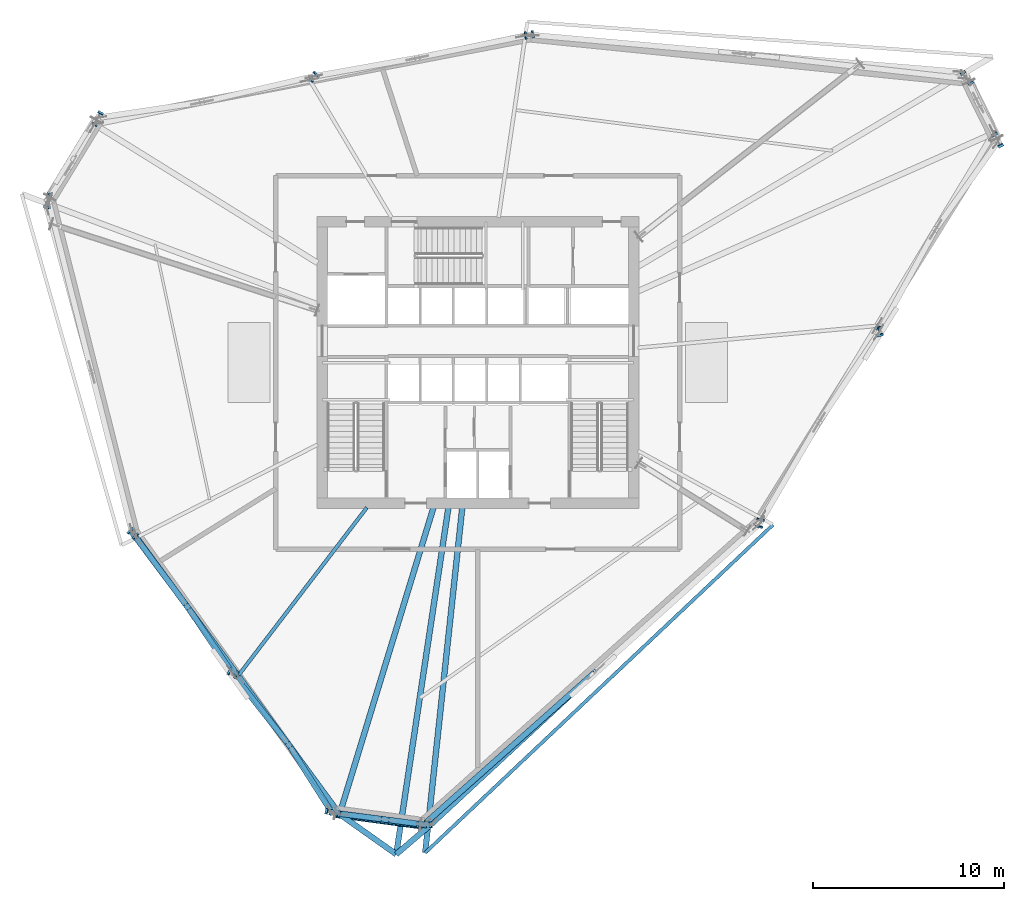
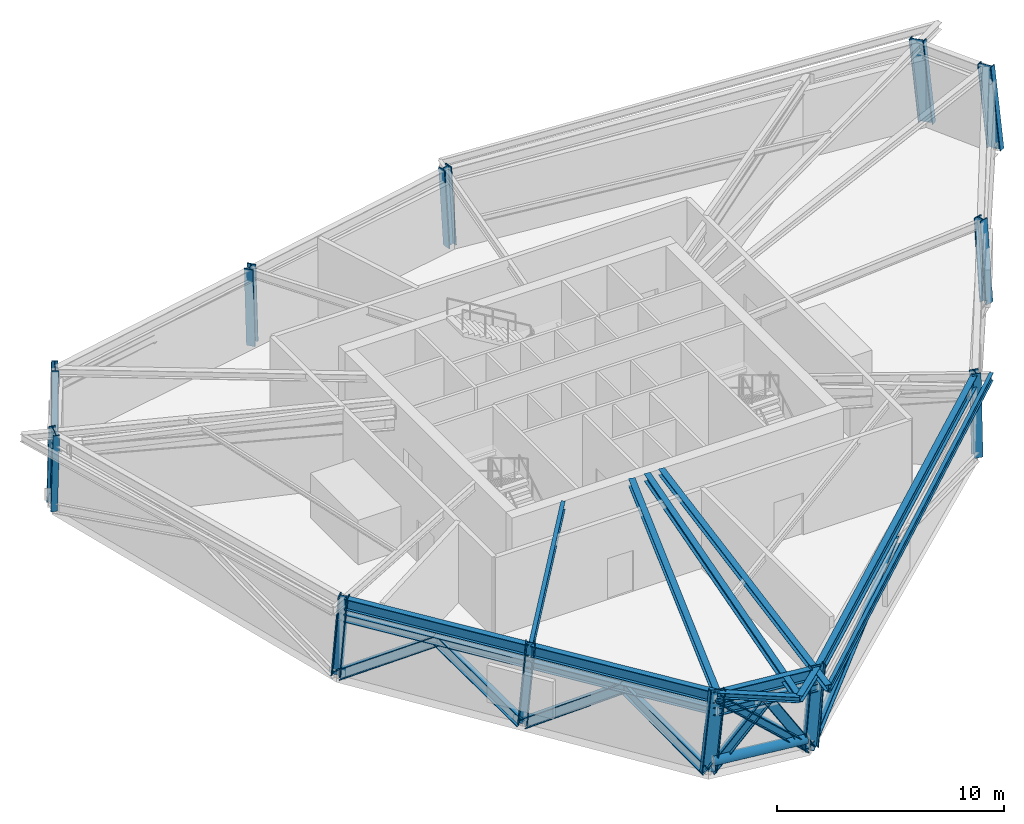
# One storey, part 1 of 14: 12 columns, 12 members, 11 beams.
"""IFC4 building model written with IfcOpenShell, lengths in metres."""

import ifcopenshell
import ifcopenshell.guid

model = None  # the IFC model being written
_history = None  # IfcOwnerHistory: only IFC2X3 demands one
_inside = {}  # id of a spatial element -> (the spatial element, [elements in it])
_under = {}  # id of a project, library or spatial element -> (it, [spatial elements below it])
_declared = {}  # id of a project -> (the project, [libraries it declares])
_typed = {}  # id of a type object -> (the type object, [elements of that type])
_made_of = {}  # id of a material, layer set ... -> (it, [elements and type objects made of it])


def new_model(schema):
    """Start an empty IFC model of exactly this schema.

    Asked for "IFC4X3", IfcOpenShell would pick the latest addendum, in which some entities
    have other attributes; the version numbers below select the first issue.
    IFC2X3 requires an IfcOwnerHistory on every rooted entity: one is made here for all.
    """
    global model, _history
    if schema == "IFC4X3":
        model = ifcopenshell.file(schema_version=(4, 3, 0, 0))
    else:
        model = ifcopenshell.file(schema=schema)
    _inside.clear()
    _under.clear()
    _declared.clear()
    _typed.clear()
    _made_of.clear()
    _history = None
    if model.schema == "IFC2X3":
        org = make("IfcOrganization", Name="unknown")
        user = make(
            "IfcPersonAndOrganization",
            ThePerson=make("IfcPerson", FamilyName="unknown"),
            TheOrganization=org,
        )
        app = make(
            "IfcApplication",
            ApplicationDeveloper=org,
            Version="unknown",
            ApplicationFullName="unknown",
            ApplicationIdentifier="unknown",
        )
        _history = make(
            "IfcOwnerHistory",
            OwningUser=user,
            OwningApplication=app,
            ChangeAction="ADDED",
            CreationDate=0,
        )
    return model


def make(cls, **values):
    """One entity of the class cls with the attributes given. An attribute that is None is left unset."""
    return model.create_entity(
        cls, **{name: value for name, value in values.items() if value is not None}
    )


def rooted(cls, **values):
    """An entity with a GlobalId (a new one), such as an element, a storey or a relation."""
    return make(cls, GlobalId=ifcopenshell.guid.new(), OwnerHistory=_history, **values)


def si_unit(unit_type, name, prefix=None):
    """IfcSIUnit, for example si_unit("LENGTHUNIT", "METRE", prefix="MILLI")."""
    return make("IfcSIUnit", UnitType=unit_type, Prefix=prefix, Name=name)


def assignment(units):
    """IfcUnitAssignment: the units of a project."""
    return None if units is None else make("IfcUnitAssignment", Units=units)


def point(xyz):
    """IfcCartesianPoint."""
    return None if xyz is None else make("IfcCartesianPoint", Coordinates=xyz)


def direction(xyz):
    """IfcDirection."""
    return None if xyz is None else make("IfcDirection", DirectionRatios=xyz)


def frame(location, z_axis=None, x_axis=None):
    """IfcAxis2Placement3D, a coordinate frame: its origin and axes. An axis left out is left unset."""
    return make(
        "IfcAxis2Placement3D",
        Location=point(location),
        Axis=direction(z_axis),
        RefDirection=direction(x_axis),
    )


def frame_2d(location, x_axis=None):
    """IfcAxis2Placement2D, a coordinate frame in the plane: its origin and x axis."""
    return make(
        "IfcAxis2Placement2D", Location=point(location), RefDirection=direction(x_axis)
    )


def origin():
    """The frame at (0, 0, 0) with its axes left unset."""
    return frame((0.0, 0.0, 0.0))


def origin_2d():
    """The frame at (0, 0) in the plane with its x axis left unset."""
    return frame_2d((0.0, 0.0))


def place(relative_to, where):
    """IfcLocalPlacement: puts the frame where relative to a parent placement (None: the world)."""
    return make(
        "IfcLocalPlacement", PlacementRelTo=relative_to, RelativePlacement=where
    )


def context(
    kind, dimensions, precision=None, world=None, true_north=None, identifier=None
):
    """IfcGeometricRepresentationContext, for example the 3D "Model" context."""
    return make(
        "IfcGeometricRepresentationContext",
        ContextIdentifier=identifier,
        ContextType=kind,
        CoordinateSpaceDimension=dimensions,
        Precision=precision,
        WorldCoordinateSystem=world,
        TrueNorth=true_north,
    )


def subcontext(parent, identifier, kind, view, scale=None):
    """IfcGeometricRepresentationSubContext, for example "Body" below "Model"."""
    return make(
        "IfcGeometricRepresentationSubContext",
        ContextIdentifier=identifier,
        ContextType=kind,
        ParentContext=parent,
        TargetScale=scale,
        TargetView=view,
    )


def project(units=None, contexts=None):
    """IfcProject with its units and contexts."""
    return rooted(
        "IfcProject",
        Name="project",
        RepresentationContexts=contexts,
        UnitsInContext=assignment(units),
    )


def spatial(cls, under=None, at=None, **own):
    """A site, building, storey or space (cls), placed at a placement, below another one or the project."""
    s = rooted(cls, ObjectPlacement=at, **own)
    if under is not None:
        _under.setdefault(under.id(), (under, []))[1].append(s)
    return s


def profile(cls, at=None, kind="AREA", **sizes):
    """A parametric profile (cls). Its sizes go by their IFC names, for example OverallWidth=200.0."""
    return make(cls, ProfileType=kind, Position=at, **sizes)


def hollow_circle(**sizes):
    """IfcCircleHollowProfileDef."""
    return profile("IfcCircleHollowProfileDef", **sizes)


def i_section(**sizes):
    """IfcIShapeProfileDef."""
    return profile("IfcIShapeProfileDef", **sizes)


def extrude(swept, where, along, depth):
    """IfcExtrudedAreaSolid: the profile swept, set in the frame where, extruded along a direction by depth."""
    return make(
        "IfcExtrudedAreaSolid",
        SweptArea=swept,
        Position=where,
        ExtrudedDirection=direction(along),
        Depth=depth,
    )


def shape(context_of_items, identifier, shape_type, items):
    """IfcShapeRepresentation: the items that make up one representation, for example the "Body"."""
    return make(
        "IfcShapeRepresentation",
        ContextOfItems=context_of_items,
        RepresentationIdentifier=identifier,
        RepresentationType=shape_type,
        Items=items,
    )


def source(mapping_origin, context_of_items, identifier, shape_type, items):
    """IfcRepresentationMap: a shape defined once, which mapped items show again and again."""
    return make(
        "IfcRepresentationMap",
        MappingOrigin=mapping_origin,
        MappedRepresentation=shape(context_of_items, identifier, shape_type, items),
    )


def transform(
    local_origin,
    x_axis=None,
    y_axis=None,
    z_axis=None,
    scale=None,
    scale2=None,
    scale3=None,
    uniform=True,
):
    """IfcCartesianTransformationOperator3D, or its non-uniform kind. x_axis, y_axis, z_axis: its Axis1, 2, 3."""
    if uniform:
        return make(
            "IfcCartesianTransformationOperator3D",
            Axis1=direction(x_axis),
            Axis2=direction(y_axis),
            LocalOrigin=point(local_origin),
            Scale=scale,
            Axis3=direction(z_axis),
        )
    return make(
        "IfcCartesianTransformationOperator3DnonUniform",
        Axis1=direction(x_axis),
        Axis2=direction(y_axis),
        LocalOrigin=point(local_origin),
        Scale=scale,
        Axis3=direction(z_axis),
        Scale2=scale2,
        Scale3=scale3,
    )


def mapped(mapping_source, mapping_target):
    """IfcMappedItem: shows the shape of a source again, moved by a transform."""
    return make(
        "IfcMappedItem", MappingSource=mapping_source, MappingTarget=mapping_target
    )


def material(Name=None, Category=None):
    """IfcMaterial."""
    return make("IfcMaterial", Name=Name, Category=Category)


def material_profile(
    of_material, cross_section, Name=None, Category=None, Priority=None
):
    """IfcMaterialProfile: a cross section and its material."""
    return make(
        "IfcMaterialProfile",
        Name=Name,
        Material=of_material,
        Profile=cross_section,
        Priority=Priority,
        Category=Category,
    )


def profile_set(profiles, Name=None, composite=None):
    """IfcMaterialProfileSet."""
    return make(
        "IfcMaterialProfileSet",
        Name=Name,
        MaterialProfiles=profiles,
        CompositeProfile=composite,
    )


def made_of(thing, what):
    """Note that an element or type object is made of a material, layer set ...; save() writes the relation."""
    if what is not None:
        _made_of.setdefault(what.id(), (what, []))[1].append(thing)
    return thing


def type_object(cls, material=None, **own):
    """A type object (cls), such as IfcWallType, which elements share."""
    return made_of(rooted(cls, **own), material)


def element(
    cls,
    number,
    at=None,
    inside=None,
    cuts=None,
    type_object=None,
    material=None,
    context=None,
    identifier="Body",
    shape_type=None,
    held_by="IfcProductDefinitionShape",
    body=None,
    shapes=None,
    **own,
):
    """One element of the class cls, such as IfcWall. Its Tag is "e" and its number.

    at: its placement. inside: the storey or other place that contains it. cuts: it is an
    opening in that element (IfcRelVoidsElement). A single representation is given by context,
    identifier, shape_type and body (its items); several are given by shapes. held_by: the class
    of the entity that holds the representations. save() writes the other relations.
    """
    e = rooted(cls, Tag="e%d" % number, ObjectPlacement=at, **own)
    if body is not None:
        shapes = [shape(context, identifier, shape_type, body)]
    if shapes is not None:
        e.Representation = make(held_by, Representations=shapes)
    if inside is not None:
        _inside.setdefault(inside.id(), (inside, []))[1].append(e)
    if cuts is not None:
        rooted(
            "IfcRelVoidsElement", RelatingBuildingElement=cuts, RelatedOpeningElement=e
        )
    if type_object is not None:
        _typed.setdefault(type_object.id(), (type_object, []))[1].append(e)
    return made_of(e, material)


def aggregate(whole, parts):
    """IfcRelAggregates: a whole, such as a stair, and the parts it consists of."""
    return rooted("IfcRelAggregates", RelatingObject=whole, RelatedObjects=parts)


def save(model, path):
    """Write the relations noted so far, then the file.

    IfcRelAggregates (storeys below a building ...), IfcRelContainedInSpatialStructure (elements
    in a storey), IfcRelDefinesByType, IfcRelAssociatesMaterial and IfcRelDeclares: one each for
    every whole, place, type object, material and project.
    """
    for whole, parts in _under.values():
        aggregate(whole, parts)
    for where, things in _inside.values():
        rooted(
            "IfcRelContainedInSpatialStructure",
            RelatedElements=things,
            RelatingStructure=where,
        )
    for kind, things in _typed.values():
        rooted("IfcRelDefinesByType", RelatedObjects=things, RelatingType=kind)
    for what, things in _made_of.values():
        rooted("IfcRelAssociatesMaterial", RelatedObjects=things, RelatingMaterial=what)
    for by, libraries in _declared.values():
        rooted("IfcRelDeclares", RelatingContext=by, RelatedDefinitions=libraries)
    model.write(path)


model = new_model("IFC4")

# Units and contexts
model_context = context("Model", 3, precision=1e-05, world=origin(), true_north=direction((0.0, 1.0)))
body_context = subcontext(model_context, "Body", "Model", "MODEL_VIEW")
ifc_project = project(units=[si_unit("LENGTHUNIT", "METRE"), si_unit("AREAUNIT", "SQUARE_METRE"), si_unit("VOLUMEUNIT", "CUBIC_METRE"), si_unit("PLANEANGLEUNIT", "RADIAN"), si_unit("MASSUNIT", "GRAM", prefix="KILO")], contexts=[model_context])

# Site, building, storey
site_placement = place(None, origin())
site = spatial("IfcSite", under=ifc_project, at=site_placement, CompositionType="ELEMENT")
building_placement = place(site_placement, origin())
building = spatial("IfcBuilding", under=site, at=building_placement, Name="Olszyna Solenne Hotel", CompositionType="ELEMENT")
storey_placement = place(building_placement, frame((0.0, 0.0, 142.10009765625)))
storey = spatial("IfcBuildingStorey", under=building, at=storey_placement, Name="L37", CompositionType="ELEMENT", Elevation=142.10009765625)

# Columns
ifc_material_1 = material(Name="Steel S460M", Category="steel")
ifc_material_profile_1 = material_profile(ifc_material_1, i_section(OverallWidth=0.303955078125, OverallDepth=0.716064453125, WebThickness=0.02099609375, FlangeThickness=0.0400390625, at=origin_2d()), Name="HEM 700", Category="load-bearing")
ifc_profile_set_1 = profile_set([ifc_material_profile_1], Name="Steel S460M")
column_type_1 = type_object("IfcColumnType", Name="COL-K2", PredefinedType="COLUMN", material=ifc_profile_set_1)
shared_shape_1 = source(origin(), body_context, "Body", "SweptSolid", [
    extrude(i_section(OverallWidth=0.303955078125, OverallDepth=0.716064453125, WebThickness=0.02099609375, FlangeThickness=0.0400390625, at=origin_2d()), origin(), (0.0, 0.0, 1.0), 4.36181640625),
])
column_1_placement = place(storey_placement, frame((65.297119140625, 38.212646484375, 0.0), z_axis=(-0.053564206709, 0.097221553869, 0.993820328441), x_axis=(-0.875864353367, -0.482557389852, 0.0)))
element("IfcColumn", 1, at=column_1_placement, inside=storey, type_object=column_type_1, Name="Perimeter framed-tube column COL-K2 C-L37-01", PredefinedType="COLUMN", context=body_context, shape_type="MappedRepresentation", body=[
    mapped(shared_shape_1, transform((0.0, 0.0, 0.0), x_axis=(1.0, 0.0, 0.0), y_axis=(0.0, 1.0, 0.0), z_axis=(0.0, 0.0, 1.0), scale=1.0)),
])
shared_shape_2 = source(origin(), body_context, "Body", "SweptSolid", [
    extrude(i_section(OverallWidth=0.303955078125, OverallDepth=0.716064453125, WebThickness=0.02099609375, FlangeThickness=0.0400390625, at=origin_2d()), origin(), (0.0, 0.0, 1.0), 4.3583984375),
])
column_2_placement = place(storey_placement, frame((63.68896484375, 41.473388671875, 0.0), z_axis=(-0.061281500187, 0.083519850803, 0.994620034112), x_axis=(-0.806250246525, -0.591574627564, 0.0)))
element("IfcColumn", 2, at=column_2_placement, inside=storey, type_object=column_type_1, Name="Perimeter framed-tube column COL-K2 C-L37-02", PredefinedType="COLUMN", context=body_context, shape_type="MappedRepresentation", body=[
    mapped(shared_shape_2, transform((0.0, 0.0, 0.0), x_axis=(1.0, 0.0, 0.0), y_axis=(0.0, 1.0, 0.0), z_axis=(0.0, 0.0, 1.0), scale=1.0)),
])
ifc_material_profile_2 = material_profile(ifc_material_1, i_section(OverallWidth=0.412109375, OverallDepth=0.43505859375, WebThickness=0.031494140625, FlangeThickness=0.050048828125, at=origin_2d()), Name="HD 400x463", Category="load-bearing")
ifc_profile_set_2 = profile_set([ifc_material_profile_2], Name="Steel S460M")
column_type_2 = type_object("IfcColumnType", Name="COL-T3", PredefinedType="COLUMN", material=ifc_profile_set_2)
shared_shape_3 = source(origin(), body_context, "Body", "SweptSolid", [
    extrude(i_section(OverallWidth=0.412109375, OverallDepth=0.43505859375, WebThickness=0.031494140625, FlangeThickness=0.050048828125, at=origin_2d()), origin(), (0.0, 0.0, 1.0), 4.343994140625),
])
column_3_placement = place(storey_placement, frame((40.731201171875, 43.790283203125, 0.0), z_axis=(-0.063172565414, -0.010566229802, 0.997946682828), x_axis=(0.164968142717, -0.986298895816, 0.0)))
element("IfcColumn", 3, at=column_3_placement, inside=storey, type_object=column_type_2, Name="Perimeter framed-tube column COL-T3 C-L37-03", PredefinedType="COLUMN", context=body_context, shape_type="MappedRepresentation", body=[
    mapped(shared_shape_3, transform((0.0, 0.0, 0.0), x_axis=(1.0, 0.0, 0.0), y_axis=(0.0, 1.0, 0.0), z_axis=(0.0, 0.0, 1.0), scale=1.0)),
])
shared_shape_4 = source(origin(), body_context, "Body", "SweptSolid", [
    extrude(i_section(OverallWidth=0.412109375, OverallDepth=0.43505859375, WebThickness=0.031494140625, FlangeThickness=0.050048828125, at=origin_2d()), origin(), (0.0, 0.0, 1.0), 4.345458984375),
])
column_4_placement = place(storey_placement, frame((29.40087890625, 41.614501953125, 0.0), z_axis=(-0.052587081912, -0.045451868875, 0.997581438496), x_axis=(0.653914443662, -0.756568503422, 0.0)))
element("IfcColumn", 4, at=column_4_placement, inside=storey, type_object=column_type_2, Name="Perimeter framed-tube column COL-T3 C-L37-04", PredefinedType="COLUMN", context=body_context, shape_type="MappedRepresentation", body=[
    mapped(shared_shape_4, transform((0.0, 0.0, 0.0), x_axis=(1.0, 0.0, 0.0), y_axis=(0.0, 1.0, 0.0), z_axis=(0.0, 0.0, 1.0), scale=1.0)),
])
shared_shape_5 = source(origin(), body_context, "Body", "SweptSolid", [
    extrude(i_section(OverallWidth=0.303955078125, OverallDepth=0.716064453125, WebThickness=0.02099609375, FlangeThickness=0.0400390625, at=origin_2d()), origin(), (0.0, 0.0, 1.0), 4.352783203125),
])
column_5_placement = place(storey_placement, frame((18.070556640625, 39.43896484375, 0.0), z_axis=(-0.041953488824, -0.080261286775, 0.99589057161), x_axis=(0.886231222436, -0.463243154704, 0.0)))
element("IfcColumn", 5, at=column_5_placement, inside=storey, type_object=column_type_1, Name="Perimeter framed-tube column COL-K2 C-L37-05", PredefinedType="COLUMN", context=body_context, shape_type="MappedRepresentation", body=[
    mapped(shared_shape_5, transform((0.0, 0.0, 0.0), x_axis=(1.0, 0.0, 0.0), y_axis=(0.0, 1.0, 0.0), z_axis=(0.0, 0.0, 1.0), scale=1.0)),
])
shared_shape_6 = source(origin(), body_context, "Body", "SweptSolid", [
    extrude(i_section(OverallWidth=0.303955078125, OverallDepth=0.716064453125, WebThickness=0.02099609375, FlangeThickness=0.0400390625, at=origin_2d()), origin(), (0.0, 0.0, 1.0), 4.349365234375),
])
column_6_placement = place(storey_placement, frame((15.453125, 35.13330078125, 0.0), z_axis=(-0.020207174684, -0.079088636472, 0.996662760252), x_axis=(0.968875614487, -0.247548063318, 0.0)))
element("IfcColumn", 6, at=column_6_placement, inside=storey, type_object=column_type_1, Name="Perimeter framed-tube column COL-K2 C-L37-06", PredefinedType="COLUMN", context=body_context, shape_type="MappedRepresentation", body=[
    mapped(shared_shape_6, transform((0.0, 0.0, 0.0), x_axis=(1.0, 0.0, 0.0), y_axis=(0.0, 1.0, 0.0), z_axis=(0.0, 0.0, 1.0), scale=1.0)),
])
shared_shape_7 = source(origin(), body_context, "Body", "SweptSolid", [
    extrude(i_section(OverallWidth=0.412109375, OverallDepth=0.43505859375, WebThickness=0.031494140625, FlangeThickness=0.050048828125, at=origin_2d()), origin(), (0.0, 0.0, 1.0), 4.34765625),
])
column_7_placement = place(storey_placement, frame((19.867919921875, 17.659912109375, 0.0), z_axis=(0.052224238999, -0.055537389645, 0.997089879205), x_axis=(0.728502673194, 0.685042958616, 0.0)))
element("IfcColumn", 7, at=column_7_placement, inside=storey, type_object=column_type_2, Name="Perimeter framed-tube column COL-T3 C-L37-07", PredefinedType="COLUMN", context=body_context, shape_type="MappedRepresentation", body=[
    mapped(shared_shape_7, transform((0.0, 0.0, 0.0), x_axis=(1.0, 0.0, 0.0), y_axis=(0.0, 1.0, 0.0), z_axis=(0.0, 0.0, 1.0), scale=1.0)),
])
shared_shape_8 = source(origin(), body_context, "Body", "SweptSolid", [
    extrude(i_section(OverallWidth=0.412109375, OverallDepth=0.43505859375, WebThickness=0.031494140625, FlangeThickness=0.050048828125, at=origin_2d()), origin(), (0.0, 0.0, 1.0), 4.349609375),
])
column_8_placement = place(storey_placement, frame((25.103759765625, 10.325927734375, 0.0), z_axis=(0.072799172678, -0.037943130864, 0.996624602986), x_axis=(0.46219210593, 0.886779824543, 0.0)))
element("IfcColumn", 8, at=column_8_placement, inside=storey, type_object=column_type_2, Name="Perimeter framed-tube column COL-T3 C-L37-08", PredefinedType="COLUMN", context=body_context, shape_type="MappedRepresentation", body=[
    mapped(shared_shape_8, transform((0.0, 0.0, 0.0), x_axis=(1.0, 0.0, 0.0), y_axis=(0.0, 1.0, 0.0), z_axis=(0.0, 0.0, 1.0), scale=1.0)),
])
shared_shape_9 = source(origin(), body_context, "Body", "SweptSolid", [
    extrude(i_section(OverallWidth=0.303955078125, OverallDepth=0.716064453125, WebThickness=0.02099609375, FlangeThickness=0.0400390625, at=origin_2d()), origin(), (0.0, 0.0, 1.0), 4.35498046875),
])
column_9_placement = place(storey_placement, frame((30.339599609375, 2.99169921875, 0.0), z_axis=(0.093342536899, -0.02018217014, 0.995429480583), x_axis=(0.211332792528, 0.97741416544, 0.0)))
element("IfcColumn", 9, at=column_9_placement, inside=storey, type_object=column_type_1, Name="Perimeter framed-tube column COL-K2 C-L37-09", PredefinedType="COLUMN", context=body_context, shape_type="MappedRepresentation", body=[
    mapped(shared_shape_9, transform((0.0, 0.0, 0.0), x_axis=(1.0, 0.0, 0.0), y_axis=(0.0, 1.0, 0.0), z_axis=(0.0, 0.0, 1.0), scale=1.0)),
])
shared_shape_10 = source(origin(), body_context, "Body", "SweptSolid", [
    extrude(i_section(OverallWidth=0.303955078125, OverallDepth=0.716064453125, WebThickness=0.02099609375, FlangeThickness=0.0400390625, at=origin_2d()), origin(), (0.0, 0.0, 1.0), 4.350341796875),
])
column_10_placement = place(storey_placement, frame((35.150634765625, 2.349853515625, 0.0), z_axis=(0.083899938538, -0.001459129366, 0.996473116173), x_axis=(0.017388674879, 0.999848805563, 0.0)))
element("IfcColumn", 10, at=column_10_placement, inside=storey, type_object=column_type_1, Name="Perimeter framed-tube column COL-K2 C-L37-10", PredefinedType="COLUMN", context=body_context, shape_type="MappedRepresentation", body=[
    mapped(shared_shape_10, transform((0.0, 0.0, 0.0), x_axis=(1.0, 0.0, 0.0), y_axis=(0.0, 1.0, 0.0), z_axis=(0.0, 0.0, 1.0), scale=1.0)),
])
shared_shape_11 = source(origin(), body_context, "Body", "SweptSolid", [
    extrude(i_section(OverallWidth=0.412109375, OverallDepth=0.43505859375, WebThickness=0.031494140625, FlangeThickness=0.050048828125, at=origin_2d()), origin(), (0.0, 0.0, 1.0), 4.344482421875),
])
column_11_placement = place(storey_placement, frame((52.778564453125, 18.1337890625, 0.0), z_axis=(0.013824133478, 0.06468120989, 0.997810219641), x_axis=(-0.977914175981, 0.209006852555, 0.0)))
element("IfcColumn", 11, at=column_11_placement, inside=storey, type_object=column_type_2, Name="Perimeter framed-tube column COL-T3 C-L37-11", PredefinedType="COLUMN", context=body_context, shape_type="MappedRepresentation", body=[
    mapped(shared_shape_11, transform((0.0, 0.0, 0.0), x_axis=(1.0, 0.0, 0.0), y_axis=(0.0, 1.0, 0.0), z_axis=(0.0, 0.0, 1.0), scale=1.0)),
])
shared_shape_12 = source(origin(), body_context, "Body", "SweptSolid", [
    extrude(i_section(OverallWidth=0.412109375, OverallDepth=0.43505859375, WebThickness=0.031494140625, FlangeThickness=0.050048828125, at=origin_2d()), origin(), (0.0, 0.0, 1.0), 4.35009765625),
])
column_12_placement = place(storey_placement, frame((59.037841796875, 28.173095703125, 0.0), z_axis=(-0.019923497825, 0.081040931997, 0.996511626413), x_axis=(-0.971084473571, -0.238736141356, 0.0)))
element("IfcColumn", 12, at=column_12_placement, inside=storey, type_object=column_type_2, Name="Perimeter framed-tube column COL-T3 C-L37-12", PredefinedType="COLUMN", context=body_context, shape_type="MappedRepresentation", body=[
    mapped(shared_shape_12, transform((0.0, 0.0, 0.0), x_axis=(1.0, 0.0, 0.0), y_axis=(0.0, 1.0, 0.0), z_axis=(0.0, 0.0, 1.0), scale=1.0)),
])

# Beams
ifc_material_2 = material(Name="Steel S355J2", Category="steel")
ifc_material_profile_3 = material_profile(ifc_material_2, i_section(OverallWidth=0.300048828125, OverallDepth=0.60009765625, WebThickness=0.015380859375, FlangeThickness=0.030029296875, at=origin_2d()), Name="HEB 600", Category="load-bearing")
ifc_profile_set_3 = profile_set([ifc_material_profile_3], Name="Steel S355J2")
beam_type_1 = type_object("IfcBeamType", Name="BM-S2", PredefinedType="BEAM", material=ifc_profile_set_3)
shared_shape_13 = source(origin(), body_context, "Body", "SweptSolid", [
    extrude(i_section(OverallWidth=0.300048828125, OverallDepth=0.60009765625, WebThickness=0.015380859375, FlangeThickness=0.030029296875, at=origin_2d()), origin(), (0.0, 0.0, 1.0), 8.881591796875),
])
beam_1_placement = place(storey_placement, frame((20.130615234375, 17.3701171875, 3.949951171875), z_axis=(0.59160197517, -0.806230179896, 0.0), x_axis=(0.806230179896, 0.59160197517, 0.0)))
element("IfcBeam", 13, at=beam_1_placement, inside=storey, type_object=beam_type_1, Name="Perimeter spandrel beam BM-S2 B-L37-1099", PredefinedType="BEAM", context=body_context, shape_type="MappedRepresentation", body=[
    mapped(shared_shape_13, transform((0.0, 0.0, 0.0), x_axis=(1.0, 0.0, 0.0), y_axis=(0.0, 1.0, 0.0), z_axis=(0.0, 0.0, 1.0), scale=1.0)),
])
shared_shape_14 = source(origin(), body_context, "Body", "SweptSolid", [
    extrude(i_section(OverallWidth=0.300048828125, OverallDepth=0.60009765625, WebThickness=0.015380859375, FlangeThickness=0.030029296875, at=origin_2d()), origin(), (0.0, 0.0, 1.0), 8.88134765625),
])
beam_2_placement = place(storey_placement, frame((25.4560546875, 10.112548828125, 3.949951171875), z_axis=(0.591615086377, -0.806220558886, 0.0), x_axis=(0.806220558886, 0.591615086377, 0.0)))
element("IfcBeam", 14, at=beam_2_placement, inside=storey, type_object=beam_type_1, Name="Perimeter spandrel beam BM-S2 B-L37-1100", PredefinedType="BEAM", context=body_context, shape_type="MappedRepresentation", body=[
    mapped(shared_shape_14, transform((0.0, 0.0, 0.0), x_axis=(1.0, 0.0, 0.0), y_axis=(0.0, 1.0, 0.0), z_axis=(0.0, 0.0, 1.0), scale=1.0)),
])
shared_shape_15 = source(origin(), body_context, "Body", "SweptSolid", [
    extrude(i_section(OverallWidth=0.300048828125, OverallDepth=0.60009765625, WebThickness=0.015380859375, FlangeThickness=0.030029296875, at=origin_2d()), origin(), (0.0, 0.0, 1.0), 4.682373046875),
])
beam_3_placement = place(storey_placement, frame((30.8056640625, 2.896728515625, 3.949951171875), z_axis=(0.993168388128, -0.116689985963, 0.0), x_axis=(0.116689985963, 0.993168388128, 0.0)))
element("IfcBeam", 15, at=beam_3_placement, inside=storey, type_object=beam_type_1, Name="Perimeter spandrel beam BM-S2 B-L37-1101", PredefinedType="BEAM", context=body_context, shape_type="MappedRepresentation", body=[
    mapped(shared_shape_15, transform((0.0, 0.0, 0.0), x_axis=(1.0, 0.0, 0.0), y_axis=(0.0, 1.0, 0.0), z_axis=(0.0, 0.0, 1.0), scale=1.0)),
])
shared_shape_16 = source(origin(), body_context, "Body", "SweptSolid", [
    extrude(i_section(OverallWidth=0.300048828125, OverallDepth=0.60009765625, WebThickness=0.015380859375, FlangeThickness=0.030029296875, at=origin_2d()), origin(), (0.0, 0.0, 1.0), 23.509765625),
])
beam_4_placement = place(storey_placement, frame((35.5595703125, 2.38427734375, 3.949951171875), z_axis=(0.733101512229, 0.680119234229, 0.0), x_axis=(-0.680119234229, 0.733101512229, 0.0)))
element("IfcBeam", 16, at=beam_4_placement, inside=storey, type_object=beam_type_1, Name="Perimeter spandrel beam BM-S2 B-L37-1102", PredefinedType="BEAM", context=body_context, shape_type="MappedRepresentation", body=[
    mapped(shared_shape_16, transform((0.0, 0.0, 0.0), x_axis=(1.0, 0.0, 0.0), y_axis=(0.0, 1.0, 0.0), z_axis=(0.0, 0.0, 1.0), scale=1.0)),
])
ifc_material_profile_4 = material_profile(ifc_material_2, i_section(OverallWidth=0.18994140625, OverallDepth=0.449951171875, WebThickness=0.009521484375, FlangeThickness=0.0146484375, at=origin_2d()), Name="IPE 450", Category="load-bearing")
ifc_profile_set_4 = profile_set([ifc_material_profile_4], Name="Steel S355J2")
beam_type_2 = type_object("IfcBeamType", Name="BM-F4", PredefinedType="BEAM", material=ifc_profile_set_4)
shared_shape_17 = source(origin(), body_context, "Body", "SweptSolid", [
    extrude(i_section(OverallWidth=0.18994140625, OverallDepth=0.449951171875, WebThickness=0.009521484375, FlangeThickness=0.0146484375, at=origin_2d()), origin(), (0.0, 0.0, 1.0), 11.05712890625),
])
beam_5_placement = place(storey_placement, frame((25.45703125, 10.20849609375, 4.02490234375), z_axis=(0.607701680489, 0.79416539054, 0.0), x_axis=(-0.79416539054, 0.607701680489, 0.0)))
element("IfcBeam", 17, at=beam_5_placement, inside=storey, type_object=beam_type_2, Name="Radial floor girder BM-F4 B-L37-1112", PredefinedType="BEAM", context=body_context, shape_type="MappedRepresentation", body=[
    mapped(shared_shape_17, transform((0.0, 0.0, 0.0), x_axis=(1.0, 0.0, 0.0), y_axis=(0.0, 1.0, 0.0), z_axis=(0.0, 0.0, 1.0), scale=1.0)),
])
ifc_material_profile_5 = material_profile(ifc_material_2, i_section(OverallWidth=0.300048828125, OverallDepth=0.389892578125, WebThickness=0.010986328125, FlangeThickness=0.01904296875, at=origin_2d()), Name="HEA 400", Category="load-bearing")
ifc_profile_set_5 = profile_set([ifc_material_profile_5], Name="Steel S355J2")
beam_type_3 = type_object("IfcBeamType", Name="BM-G2", PredefinedType="BEAM", material=ifc_profile_set_5)
shared_shape_18 = source(origin(), body_context, "Body", "SweptSolid", [
    extrude(i_section(OverallWidth=0.300048828125, OverallDepth=0.389892578125, WebThickness=0.010986328125, FlangeThickness=0.01904296875, at=origin_2d()), origin(), (0.0, 0.0, 1.0), 16.771240234375),
])
beam_6_placement = place(storey_placement, frame((30.763671875, 2.961181640625, 4.054931640625), z_axis=(0.292714815353, 0.956199789203, 0.0), x_axis=(-0.956199789203, 0.292714815353, 0.0)))
element("IfcBeam", 18, at=beam_6_placement, inside=storey, type_object=beam_type_3, Name="Radial floor girder BM-G2 B-L37-1113", PredefinedType="BEAM", context=body_context, shape_type="MappedRepresentation", body=[
    mapped(shared_shape_18, transform((0.0, 0.0, 0.0), x_axis=(1.0, 0.0, 0.0), y_axis=(0.0, 1.0, 0.0), z_axis=(0.0, 0.0, 1.0), scale=1.0)),
])
shared_shape_19 = source(origin(), body_context, "Body", "SweptSolid", [
    extrude(i_section(OverallWidth=0.300048828125, OverallDepth=0.389892578125, WebThickness=0.010986328125, FlangeThickness=0.01904296875, at=origin_2d()), origin(), (0.0, 0.0, 1.0), 18.384033203125),
])
beam_7_placement = place(storey_placement, frame((33.7197265625, 0.81982421875, 4.054931640625), z_axis=(0.148856049271, 0.988858875975, 0.0), x_axis=(-0.988858875975, 0.148856049271, 0.0)))
element("IfcBeam", 19, at=beam_7_placement, inside=storey, type_object=beam_type_3, Name="Radial floor girder BM-G2 B-L37-1114", PredefinedType="BEAM", context=body_context, shape_type="MappedRepresentation", body=[
    mapped(shared_shape_19, transform((0.0, 0.0, 0.0), x_axis=(1.0, 0.0, 0.0), y_axis=(0.0, 1.0, 0.0), z_axis=(0.0, 0.0, 1.0), scale=1.0)),
])
ifc_material_profile_6 = material_profile(ifc_material_2, i_section(OverallWidth=0.300048828125, OverallDepth=0.31005859375, WebThickness=0.009033203125, FlangeThickness=0.015380859375, at=origin_2d()), Name="HEA 320", Category="load-bearing")
ifc_profile_set_6 = profile_set([ifc_material_profile_6], Name="Steel S355J2")
beam_type_4 = type_object("IfcBeamType", Name="BM-G3", PredefinedType="BEAM", material=ifc_profile_set_6)
shared_shape_20 = source(origin(), body_context, "Body", "SweptSolid", [
    extrude(i_section(OverallWidth=0.300048828125, OverallDepth=0.31005859375, WebThickness=0.009033203125, FlangeThickness=0.015380859375, at=origin_2d()), origin(), (0.0, 0.0, 1.0), 3.64013671875),
])
beam_8_placement = place(storey_placement, frame((30.74609375, 2.90380859375, 4.094970703125), z_axis=(0.81608774532, -0.577928016225, 0.0), x_axis=(0.577928016225, 0.81608774532, 0.0)))
element("IfcBeam", 20, at=beam_8_placement, inside=storey, type_object=beam_type_4, Name="Prism side edge beam BM-G3 B-L37-1117", PredefinedType="BEAM", context=body_context, shape_type="MappedRepresentation", body=[
    mapped(shared_shape_20, transform((0.0, 0.0, 0.0), x_axis=(1.0, 0.0, 0.0), y_axis=(0.0, 1.0, 0.0), z_axis=(0.0, 0.0, 1.0), scale=1.0)),
])
shared_shape_21 = source(origin(), body_context, "Body", "SweptSolid", [
    extrude(i_section(OverallWidth=0.300048828125, OverallDepth=0.31005859375, WebThickness=0.009033203125, FlangeThickness=0.015380859375, at=origin_2d()), origin(), (0.0, 0.0, 1.0), 2.370361328125),
])
beam_9_placement = place(storey_placement, frame((35.515625, 2.343505859375, 4.094970703125), z_axis=(-0.758922047088, -0.651181485028, 0.0), x_axis=(0.651181485028, -0.758922047088, 0.0)))
element("IfcBeam", 21, at=beam_9_placement, inside=storey, type_object=beam_type_4, Name="Prism side edge beam BM-G3 B-L37-1118", PredefinedType="BEAM", context=body_context, shape_type="MappedRepresentation", body=[
    mapped(shared_shape_21, transform((0.0, 0.0, 0.0), x_axis=(1.0, 0.0, 0.0), y_axis=(0.0, 1.0, 0.0), z_axis=(0.0, 0.0, 1.0), scale=1.0)),
])
shared_shape_22 = source(origin(), body_context, "Body", "SweptSolid", [
    extrude(i_section(OverallWidth=0.300048828125, OverallDepth=0.31005859375, WebThickness=0.009033203125, FlangeThickness=0.015380859375, at=origin_2d()), origin(), (0.0, 0.0, 1.0), 18.227294921875),
])
beam_10_placement = place(storey_placement, frame((35.23486328125, 0.876953125, 4.094970703125), z_axis=(0.106886401758, 0.99427123921, 0.0), x_axis=(-0.99427123921, 0.106886401758, 0.0)))
element("IfcBeam", 22, at=beam_10_placement, inside=storey, type_object=beam_type_4, Name="Loggia/prism radial back-span girder BM-G3 B-L37-1119", PredefinedType="BEAM", context=body_context, shape_type="MappedRepresentation", body=[
    mapped(shared_shape_22, transform((0.0, 0.0, 0.0), x_axis=(1.0, 0.0, 0.0), y_axis=(0.0, 1.0, 0.0), z_axis=(0.0, 0.0, 1.0), scale=1.0)),
])
ifc_material_profile_7 = material_profile(ifc_material_2, i_section(OverallWidth=0.179931640625, OverallDepth=0.39990234375, WebThickness=0.008544921875, FlangeThickness=0.013427734375, at=origin_2d()), Name="IPE 400", Category="load-bearing")
ifc_profile_set_7 = profile_set([ifc_material_profile_7], Name="Steel S355J2")
beam_type_5 = type_object("IfcBeamType", Name="BM-F5", PredefinedType="BEAM", material=ifc_profile_set_7)
shared_shape_23 = source(origin(), body_context, "Body", "SweptSolid", [
    extrude(i_section(OverallWidth=0.179931640625, OverallDepth=0.39990234375, WebThickness=0.008544921875, FlangeThickness=0.013427734375, at=origin_2d()), origin(), (0.0, 0.0, 1.0), 25.090576171875),
])
beam_11_placement = place(storey_placement, frame((35.23486328125, 0.876953125, 4.0498046875), z_axis=(0.727509750261, 0.686097342419, 0.0), x_axis=(-0.686097342419, 0.727509750261, 0.0)))
element("IfcBeam", 23, at=beam_11_placement, inside=storey, type_object=beam_type_5, Name="Loggia outer edge beam BM-F5 B-L37-1125", PredefinedType="BEAM", context=body_context, shape_type="MappedRepresentation", body=[
    mapped(shared_shape_23, transform((0.0, 0.0, 0.0), x_axis=(1.0, 0.0, 0.0), y_axis=(0.0, 1.0, 0.0), z_axis=(0.0, 0.0, 1.0), scale=1.0)),
])

# Members
ifc_material_profile_8 = material_profile(ifc_material_1, i_section(OverallWidth=0.406005859375, OverallDepth=0.416015625, WebThickness=0.026611328125, FlangeThickness=0.04150390625, at=origin_2d()), Name="HD 400x382", Category="load-bearing")
ifc_profile_set_8 = profile_set([ifc_material_profile_8], Name="Steel S460M")
member_type_1 = type_object("IfcMemberType", Name="BR-T2", PredefinedType="BRACE", material=ifc_profile_set_8)
shared_shape_24 = source(origin(), body_context, "Body", "SweptSolid", [
    extrude(i_section(OverallWidth=0.406005859375, OverallDepth=0.416015625, WebThickness=0.026611328125, FlangeThickness=0.04150390625, at=origin_2d()), origin(), (0.0, 0.0, 1.0), 5.91552734375),
])
member_1_placement = place(storey_placement, frame((35.150634765625, 2.349853515625, 0.010009765625), z_axis=(-0.744564367466, 0.093643176641, 0.660949966464), x_axis=(-0.124786029639, -0.992183675943, 0.0)))
element("IfcMember", 24, at=member_1_placement, inside=storey, type_object=member_type_1, Name="Perimeter braced-tube diagonal BR-T2 BR-L37-3", PredefinedType="BRACE", context=body_context, shape_type="MappedRepresentation", body=[
    mapped(shared_shape_24, transform((0.0, 0.0, 0.0), x_axis=(1.0, 0.0, 0.0), y_axis=(0.0, 1.0, 0.0), z_axis=(0.0, 0.0, 1.0), scale=1.0)),
])
ifc_material_profile_9 = material_profile(ifc_material_2, i_section(OverallWidth=0.300048828125, OverallDepth=0.39990234375, WebThickness=0.013427734375, FlangeThickness=0.02392578125, at=origin_2d()), Name="HEB 400", Category="load-bearing")
ifc_profile_set_9 = profile_set([ifc_material_profile_9], Name="Steel S355J2")
member_type_2 = type_object("IfcMemberType", Name="CH-TR2", PredefinedType="CHORD", material=ifc_profile_set_9)
shared_shape_25 = source(origin(), body_context, "Body", "SweptSolid", [
    extrude(i_section(OverallWidth=0.300048828125, OverallDepth=0.39990234375, WebThickness=0.013427734375, FlangeThickness=0.02392578125, at=origin_2d()), origin(), (0.0, 0.0, 1.0), 8.921875),
])
for number, where, z_axis, x_axis, name in (
    (25, (20.11865234375, 17.38623046875, 3.199951171875), (0.591591413251, -0.806237929998, 0.0), (0.806237929998, 0.591591413251, 0.0), "Belt truss upper chord CH-TR2 CH-L37-07"),
    (26, (25.444091796875, 10.12890625, 3.199951171875), (0.591609200229, -0.806224878185, 0.0), (0.806224878185, 0.591609200229, 0.0), "Belt truss upper chord CH-TR2 CH-L37-08"),
):
    element("IfcMember", number, at=place(storey_placement, frame(where, z_axis=z_axis, x_axis=x_axis)), inside=storey, type_object=member_type_2, Name=name, PredefinedType="CHORD", context=body_context, shape_type="MappedRepresentation", body=[
        mapped(shared_shape_25, transform((0.0, 0.0, 0.0), x_axis=(1.0, 0.0, 0.0), y_axis=(0.0, 1.0, 0.0), z_axis=(0.0, 0.0, 1.0), scale=1.0)),
    ])
ifc_material_profile_10 = material_profile(ifc_material_2, i_section(OverallWidth=0.300048828125, OverallDepth=0.5, WebThickness=0.014404296875, FlangeThickness=0.028076171875, at=origin_2d()), Name="HEB 500", Category="load-bearing")
ifc_profile_set_10 = profile_set([ifc_material_profile_10], Name="Steel S355J2")
member_type_3 = type_object("IfcMemberType", Name="BR-BL1", PredefinedType="BRACE", material=ifc_profile_set_10)
shared_shape_26 = source(origin(), body_context, "Body", "SweptSolid", [
    extrude(i_section(OverallWidth=0.300048828125, OverallDepth=0.5, WebThickness=0.014404296875, FlangeThickness=0.028076171875, at=origin_2d()), origin(), (0.0, 0.0, 1.0), 5.74951171875),
])
member_2_placement = place(storey_placement, frame((19.89111328125, 17.62744140625, 0.02001953125), z_axis=(0.4985943884, -0.667467653829, 0.553073744584), x_axis=(0.801154452932, 0.598457636385, 0.0)))
element("IfcMember", 27, at=member_2_placement, inside=storey, type_object=member_type_3, Name="Belt truss diagonal BR-BL1 BT-L37-07-1", PredefinedType="BRACE", context=body_context, shape_type="MappedRepresentation", body=[
    mapped(shared_shape_26, transform((0.0, 0.0, 0.0), x_axis=(1.0, 0.0, 0.0), y_axis=(0.0, 1.0, 0.0), z_axis=(0.0, 0.0, 1.0), scale=1.0)),
])
shared_shape_27 = source(origin(), body_context, "Body", "SweptSolid", [
    extrude(i_section(OverallWidth=0.300048828125, OverallDepth=0.5, WebThickness=0.014404296875, FlangeThickness=0.028076171875, at=origin_2d()), origin(), (0.0, 0.0, 1.0), 5.22314453125),
])
member_3_placement = place(storey_placement, frame((25.08056640625, 10.3583984375, 0.02001953125), z_axis=(-0.44470091155, 0.656955151549, 0.608811159654), x_axis=(-0.828113679966, -0.560560195745, 0.0)))
element("IfcMember", 28, at=member_3_placement, inside=storey, type_object=member_type_3, Name="Belt truss diagonal BR-BL1 BT-L37-07-2", PredefinedType="BRACE", context=body_context, shape_type="MappedRepresentation", body=[
    mapped(shared_shape_27, transform((0.0, 0.0, 0.0), x_axis=(1.0, 0.0, 0.0), y_axis=(0.0, 1.0, 0.0), z_axis=(0.0, 0.0, 1.0), scale=1.0)),
])
shared_shape_28 = source(origin(), body_context, "Body", "SweptSolid", [
    extrude(i_section(OverallWidth=0.300048828125, OverallDepth=0.5, WebThickness=0.014404296875, FlangeThickness=0.028076171875, at=origin_2d()), origin(), (0.0, 0.0, 1.0), 5.744140625),
])
member_4_placement = place(storey_placement, frame((25.126953125, 10.293212890625, 0.02001953125), z_axis=(0.514665732946, -0.654712276018, 0.553598246893), x_axis=(0.786173095258, 0.618006362664, 0.0)))
element("IfcMember", 29, at=member_4_placement, inside=storey, type_object=member_type_3, Name="Belt truss diagonal BR-BL1 BT-L37-08-1", PredefinedType="BRACE", context=body_context, shape_type="MappedRepresentation", body=[
    mapped(shared_shape_28, transform((0.0, 0.0, 0.0), x_axis=(1.0, 0.0, 0.0), y_axis=(0.0, 1.0, 0.0), z_axis=(0.0, 0.0, 1.0), scale=1.0)),
])
shared_shape_29 = source(origin(), body_context, "Body", "SweptSolid", [
    extrude(i_section(OverallWidth=0.300048828125, OverallDepth=0.5, WebThickness=0.014404296875, FlangeThickness=0.028076171875, at=origin_2d()), origin(), (0.0, 0.0, 1.0), 5.235107421875),
])
member_5_placement = place(storey_placement, frame((30.31640625, 3.0244140625, 0.02001953125), z_axis=(-0.426580128645, 0.670113684105, 0.60743480656), x_axis=(-0.843579286252, -0.537004644119, 0.0)))
element("IfcMember", 30, at=member_5_placement, inside=storey, type_object=member_type_3, Name="Belt truss diagonal BR-BL1 BT-L37-08-2", PredefinedType="BRACE", context=body_context, shape_type="MappedRepresentation", body=[
    mapped(shared_shape_29, transform((0.0, 0.0, 0.0), x_axis=(1.0, 0.0, 0.0), y_axis=(0.0, 1.0, 0.0), z_axis=(0.0, 0.0, 1.0), scale=1.0)),
])
shared_shape_30 = source(origin(), body_context, "Body", "SweptSolid", [
    extrude(i_section(OverallWidth=0.300048828125, OverallDepth=0.39990234375, WebThickness=0.013427734375, FlangeThickness=0.02392578125, at=origin_2d()), origin(), (0.0, 0.0, 1.0), 4.722412109375),
])
member_6_placement = place(storey_placement, frame((30.78564453125, 2.89892578125, 3.199951171875), z_axis=(0.993175284368, -0.116631275911, 0.0), x_axis=(0.116631275911, 0.993175284368, 0.0)))
element("IfcMember", 31, at=member_6_placement, inside=storey, type_object=member_type_2, Name="Belt truss upper chord CH-TR2 CH-L37-09", PredefinedType="CHORD", context=body_context, shape_type="MappedRepresentation", body=[
    mapped(shared_shape_30, transform((0.0, 0.0, 0.0), x_axis=(1.0, 0.0, 0.0), y_axis=(0.0, 1.0, 0.0), z_axis=(0.0, 0.0, 1.0), scale=1.0)),
])
shared_shape_31 = source(origin(), body_context, "Body", "SweptSolid", [
    extrude(i_section(OverallWidth=0.300048828125, OverallDepth=0.5, WebThickness=0.014404296875, FlangeThickness=0.028076171875, at=origin_2d()), origin(), (0.0, 0.0, 1.0), 4.220947265625),
])
member_7_placement = place(storey_placement, frame((30.379150390625, 2.986572265625, 0.02001953125), z_axis=(0.651930802338, -0.086010212322, 0.753384677531), x_axis=(0.130798085761, 0.991409027981, 0.0)))
element("IfcMember", 32, at=member_7_placement, inside=storey, type_object=member_type_3, Name="Belt truss diagonal BR-BL1 BT-L37-09-1", PredefinedType="BRACE", context=body_context, shape_type="MappedRepresentation", body=[
    mapped(shared_shape_31, transform((0.0, 0.0, 0.0), x_axis=(1.0, 0.0, 0.0), y_axis=(0.0, 1.0, 0.0), z_axis=(0.0, 0.0, 1.0), scale=1.0)),
])
shared_shape_32 = source(origin(), body_context, "Body", "SweptSolid", [
    extrude(i_section(OverallWidth=0.300048828125, OverallDepth=0.5, WebThickness=0.014404296875, FlangeThickness=0.028076171875, at=origin_2d()), origin(), (0.0, 0.0, 1.0), 3.755615234375),
])
member_8_placement = place(storey_placement, frame((35.111083984375, 2.355224609375, 0.02001953125), z_axis=(-0.527259158202, 0.071440983216, 0.84669591118), x_axis=(-0.134268105163, -0.990945041834, 0.0)))
element("IfcMember", 33, at=member_8_placement, inside=storey, type_object=member_type_3, Name="Belt truss diagonal BR-BL1 BT-L37-09-2", PredefinedType="BRACE", context=body_context, shape_type="MappedRepresentation", body=[
    mapped(shared_shape_32, transform((0.0, 0.0, 0.0), x_axis=(1.0, 0.0, 0.0), y_axis=(0.0, 1.0, 0.0), z_axis=(0.0, 0.0, 1.0), scale=1.0)),
])
shared_shape_33 = source(origin(), body_context, "Body", "SweptSolid", [
    extrude(i_section(OverallWidth=0.300048828125, OverallDepth=0.5, WebThickness=0.014404296875, FlangeThickness=0.028076171875, at=origin_2d()), origin(), (0.0, 0.0, 1.0), 12.453369140625),
])
member_9_placement = place(storey_placement, frame((35.180419921875, 2.376708984375, 0.02001953125), z_axis=(0.722423369698, 0.64257451258, 0.255347744649), x_axis=(-0.664606703644, 0.747193368193, 0.0)))
element("IfcMember", 34, at=member_9_placement, inside=storey, type_object=member_type_3, Name="Belt truss diagonal BR-BL1 BT-L37-10-1", PredefinedType="BRACE", context=body_context, shape_type="MappedRepresentation", body=[
    mapped(shared_shape_33, transform((0.0, 0.0, 0.0), x_axis=(1.0, 0.0, 0.0), y_axis=(0.0, 1.0, 0.0), z_axis=(0.0, 0.0, 1.0), scale=1.0)),
])
ifc_material_profile_11 = material_profile(ifc_material_2, hollow_circle(Radius=0.25390625, WallThickness=0.02001953125, at=origin_2d()), Name="CHS 508x20", Category="load-bearing")
ifc_profile_set_11 = profile_set([ifc_material_profile_11], Name="Steel S355J2")
member_type_4 = type_object("IfcMemberType", Name="BR-TB2", PredefinedType="BRACE", material=ifc_profile_set_11)
shared_shape_34 = source(origin(), body_context, "Body", "SweptSolid", [
    extrude(hollow_circle(Radius=0.25390625, WallThickness=0.02001953125, at=origin_2d()), origin(), (0.0, 0.0, 1.0), 4.493896484375),
])
member_10_placement = place(storey_placement, frame((30.51806640625, 2.968017578125, 0.5498046875), z_axis=(0.991218408482, -0.132234892093, 0.0), x_axis=(0.132234892093, 0.991218408482, 0.0)))
element("IfcMember", 35, at=member_10_placement, inside=storey, type_object=member_type_4, Name="Belt collar tie BR-TB2 CTB-L37-3", PredefinedType="BRACE", context=body_context, shape_type="MappedRepresentation", body=[
    mapped(shared_shape_34, transform((0.0, 0.0, 0.0), x_axis=(1.0, 0.0, 0.0), y_axis=(0.0, 1.0, 0.0), z_axis=(0.0, 0.0, 1.0), scale=1.0)),
])

save(model, "model.ifc")
